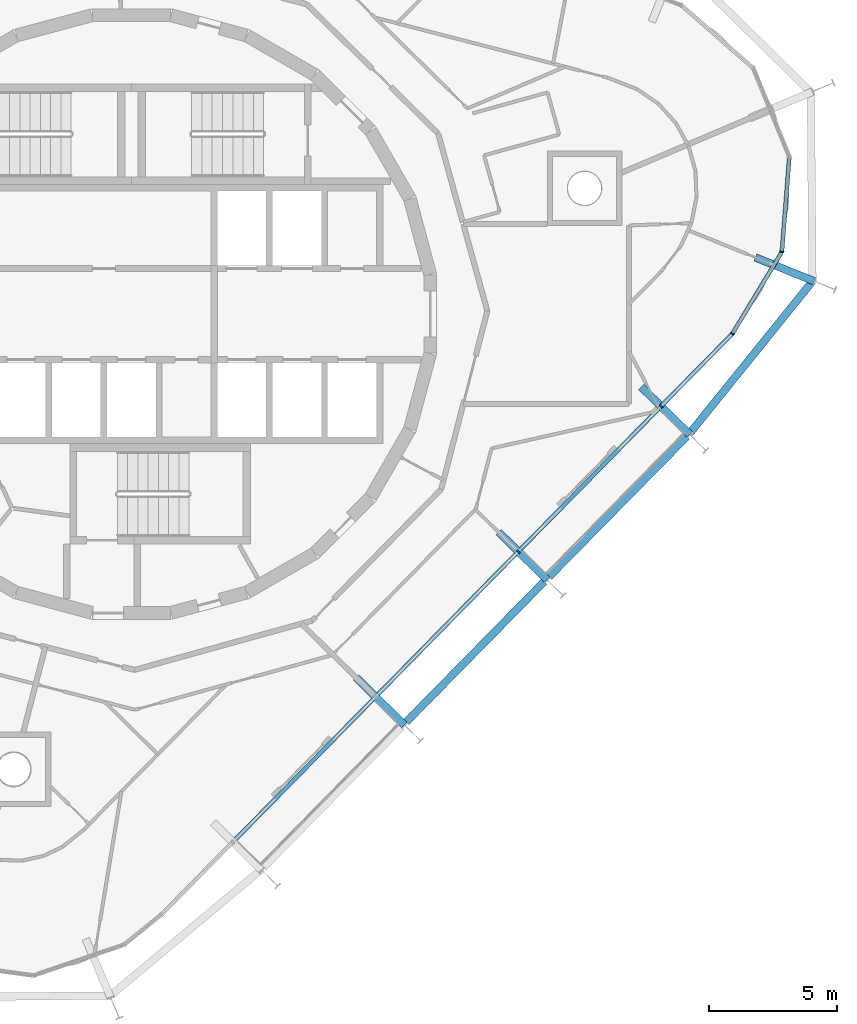
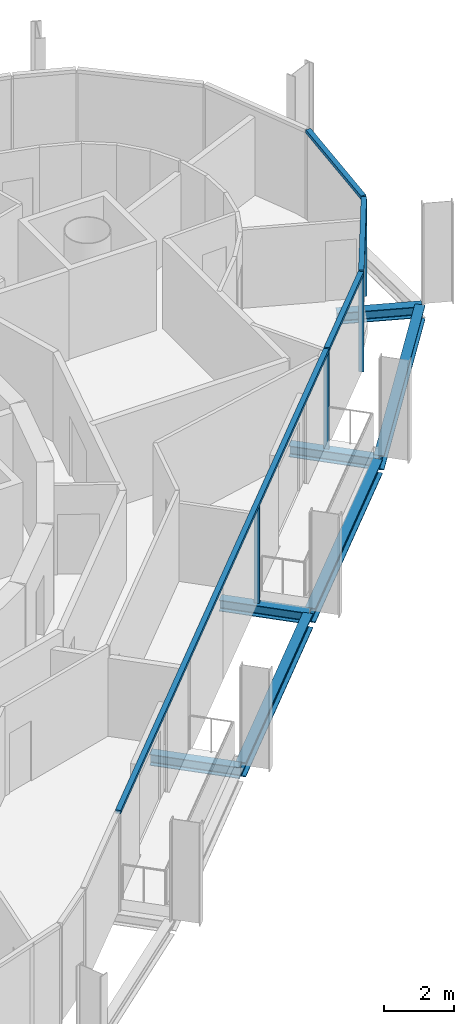
# One storey, part 4 of 15: 8 members, 7 beams, 2 elements without a shape of their own.
"""IFC4 building model written with IfcOpenShell, lengths in metres."""

from ifc_helpers import new_model, si_unit, direction, frame, origin, origin_2d, place, context, subcontext, project, spatial, rectangle, i_section, extrude, material, layer, layer_set, material_profile, profile_set, type_object, element, aggregate, save


model = new_model("IFC4")

# Units and contexts
model_context = context("Model", 3, precision=1e-05, world=origin(), true_north=direction((0.0, 1.0)))
body_context = subcontext(model_context, "Body", "Model", "MODEL_VIEW")
ifc_project = project(units=[si_unit("LENGTHUNIT", "METRE"), si_unit("AREAUNIT", "SQUARE_METRE"), si_unit("VOLUMEUNIT", "CUBIC_METRE"), si_unit("PLANEANGLEUNIT", "RADIAN"), si_unit("MASSUNIT", "GRAM", prefix="KILO")], contexts=[model_context])

# Site, building, storey
site_placement = place(None, origin())
site = spatial("IfcSite", under=ifc_project, at=site_placement, CompositionType="ELEMENT")
building_placement = place(site_placement, origin())
building = spatial("IfcBuilding", under=site, at=building_placement, Name="Spindle Arch Residences", CompositionType="ELEMENT")
storey_placement = place(building_placement, frame((0.0, 0.0, 319.199951171875)))
storey = spatial("IfcBuildingStorey", under=building, at=storey_placement, Name="L82", CompositionType="ELEMENT", Elevation=319.199951171875)

# Curtain wall, members
ifc_material_1 = material(Name="Aluminium bronze unitised frame with tinted glass", Category="aluminium")
ifc_layer_1 = layer(ifc_material_1, 0.159912109375)
ifc_layer_set_1 = layer_set([ifc_layer_1], Name="CW-D corner wall on the fillet arcs")
curtain_wall_type_1 = type_object("IfcCurtainWallType", Name="CW-D corner wall on the fillet arcs", PredefinedType="NOTDEFINED", material=ifc_layer_set_1)
curtain_wall_1_placement = place(storey_placement, origin())
curtain_wall_1 = element("IfcCurtainWall", 1, at=curtain_wall_1_placement, inside=storey, type_object=curtain_wall_type_1, Name="CW-D L82 run 1", PredefinedType="NOTDEFINED")
ifc_material_2 = material(Name="Aluminium bronze anodised mullion", Category="aluminium")
ifc_material_profile_1 = material_profile(ifc_material_2, rectangle(XDim=0.159912109375, YDim=0.06005859375, at=origin_2d()), Name="MU 60x160")
ifc_profile_set_1 = profile_set([ifc_material_profile_1], Name="Aluminium bronze anodised mullion")
member_type_1 = type_object("IfcMemberType", Name="Bronze mullion 60x160", PredefinedType="MULLION", material=ifc_profile_set_1)
member_1_placement = place(storey_placement, frame((20.642333984375, -3.597412109375, -0.3798828125), z_axis=(0.0, 0.0, 1.0), x_axis=(-0.713250449154, 0.7009092643, 0.0)))
member_1 = element("IfcMember", 2, at=member_1_placement, type_object=member_type_1, Name="CW-D mullion 00", PredefinedType="MULLION", context=body_context, shape_type="SweptSolid", body=[
    extrude(rectangle(XDim=0.159912109375, YDim=0.06005859375, at=origin_2d()), origin(), (0.0, 0.0, 1.0), 3.3798828125),
])
member_2_placement = place(storey_placement, frame((23.42578125, -0.76513671875, -0.3798828125), z_axis=(0.0, 0.0, 1.0), x_axis=(-0.855665492936, 0.517529288252, 0.0)))
member_2 = element("IfcMember", 3, at=member_2_placement, type_object=member_type_1, Name="CW-D mullion 01", PredefinedType="MULLION", context=body_context, shape_type="SweptSolid", body=[
    extrude(rectangle(XDim=0.159912109375, YDim=0.06005859375, at=origin_2d()), origin(), (0.0, 0.0, 1.0), 3.3798828125),
])
member_3_placement = place(storey_placement, frame((25.3544921875, 2.423828125, -0.3798828125), z_axis=(0.0, 0.0, 1.0), x_axis=(-0.996917334032, 0.078459091935, 0.0)))
member_3 = element("IfcMember", 4, at=member_3_placement, type_object=member_type_1, Name="CW-D mullion 02", PredefinedType="MULLION", context=body_context, shape_type="SweptSolid", body=[
    extrude(rectangle(XDim=0.159912109375, YDim=0.06005859375, at=origin_2d()), origin(), (0.0, 0.0, 1.0), 3.3798828125),
])

# Curtain wall, member
ifc_material_3 = material(Name="Aluminium bronze unitised frame with tinted glass", Category="aluminium")
ifc_layer_2 = layer(ifc_material_3, 0.159912109375)
ifc_layer_set_2 = layer_set([ifc_layer_2], Name="CW-C typical residential unitised wall")
curtain_wall_type_2 = type_object("IfcCurtainWallType", Name="CW-C typical residential unitised wall", PredefinedType="NOTDEFINED", material=ifc_layer_set_2)
curtain_wall_2_placement = place(storey_placement, origin())
curtain_wall_2 = element("IfcCurtainWall", 5, at=curtain_wall_2_placement, inside=storey, type_object=curtain_wall_type_2, Name="CW-C L82 run 6", PredefinedType="NOTDEFINED")
member_4_placement = place(storey_placement, frame((15.08056640625, -9.257080078125, -0.3798828125), z_axis=(0.0, 0.0, 1.0), x_axis=(-0.713250449154, 0.7009092643, 0.0)))
member_4 = element("IfcMember", 6, at=member_4_placement, type_object=member_type_1, Name="CW-C mullion 00", PredefinedType="MULLION", context=body_context, shape_type="SweptSolid", body=[
    extrude(rectangle(XDim=0.159912109375, YDim=0.06005859375, at=origin_2d()), origin(), (0.0, 0.0, 1.0), 3.3798828125),
])

# Member
ifc_material_4 = material(Name="Aluminium bronze anodised transom", Category="aluminium")
ifc_material_profile_2 = material_profile(ifc_material_4, rectangle(XDim=0.159912109375, YDim=0.1201171875, at=origin_2d()), Name="TR 120x160")
ifc_profile_set_2 = profile_set([ifc_material_profile_2], Name="Aluminium bronze anodised transom")
member_type_2 = type_object("IfcMemberType", Name="Bronze transom 120x160", PredefinedType="USERDEFINED", material=ifc_profile_set_2)
member_5_placement = place(storey_placement, frame((20.663330078125, -3.575927734375, 3.06005859375), z_axis=(0.70089977121, 0.713259777863, 0.0), x_axis=(-0.713259777863, 0.70089977121, 0.0)))
member_5 = element("IfcMember", 7, at=member_5_placement, type_object=member_type_2, Name="CW-D transom 00", ObjectType="TRANSOM", PredefinedType="USERDEFINED", context=body_context, shape_type="SweptSolid", body=[
    extrude(rectangle(XDim=0.159912109375, YDim=0.1201171875, at=origin_2d()), origin(), (0.0, 0.0, 1.0), 3.910888671875),
])

member_6_placement = place(storey_placement, frame((23.441162109375, -0.739501953125, 3.06005859375), z_axis=(0.517517977751, 0.855672333726, 0.0), x_axis=(-0.855672333726, 0.517517977751, 0.0)))
member_6 = element("IfcMember", 8, at=member_6_placement, type_object=member_type_2, Name="CW-D transom 01", ObjectType="TRANSOM", PredefinedType="USERDEFINED", context=body_context, shape_type="SweptSolid", body=[
    extrude(rectangle(XDim=0.159912109375, YDim=0.1201171875, at=origin_2d()), origin(), (0.0, 0.0, 1.0), 3.6669921875),
])

member_7_placement = place(storey_placement, frame((25.356689453125, 2.45361328125, 3.06005859375), z_axis=(0.078498754798, 0.996914211703, 0.0), x_axis=(-0.996914211703, 0.078498754798, 0.0)))
member_7 = element("IfcMember", 9, at=member_7_placement, type_object=member_type_2, Name="CW-D transom 02", ObjectType="TRANSOM", PredefinedType="USERDEFINED", context=body_context, shape_type="SweptSolid", body=[
    extrude(rectangle(XDim=0.159912109375, YDim=0.1201171875, at=origin_2d()), origin(), (0.0, 0.0, 1.0), 3.666748046875),
])

aggregate(curtain_wall_1, [member_1, member_5, member_2, member_6, member_3, member_7])

member_8_placement = place(storey_placement, frame((3.97802734375, -20.55517578125, 3.06005859375), z_axis=(0.700905736119, 0.71325391627, 0.0), x_axis=(-0.71325391627, 0.700905736119, 0.0)))
member_8 = element("IfcMember", 10, at=member_8_placement, type_object=member_type_2, Name="CW-C transom 00", ObjectType="TRANSOM", PredefinedType="USERDEFINED", context=body_context, shape_type="SweptSolid", body=[
    extrude(rectangle(XDim=0.159912109375, YDim=0.1201171875, at=origin_2d()), origin(), (0.0, 0.0, 1.0), 23.745361328125),
])

aggregate(curtain_wall_2, [member_8, member_4])

# Beams
ifc_material_5 = material(Name="Steel S460ML, intumescent coating R 120", Category="steel")
ifc_material_profile_3 = material_profile(ifc_material_5, i_section(OverallWidth=0.300048828125, OverallDepth=0.5, WebThickness=0.014404296875, FlangeThickness=0.028076171875, FilletRadius=0.027099609375, at=origin_2d()), Name="HEB 500")
ifc_profile_set_3 = profile_set([ifc_material_profile_3], Name="Steel S460ML, intumescent coating R 120")
beam_type_1 = type_object("IfcBeamType", Name="Exoskeleton edge beam HEB 500", PredefinedType="BEAM", material=ifc_profile_set_3)
beam_1_placement = place(storey_placement, frame((16.270263671875, -10.24365234375, -0.6298828125), z_axis=(0.700908648812, 0.713251053992, 0.0), x_axis=(-0.713251053992, 0.700908648812, 0.0)))
element("IfcBeam", 11, at=beam_1_placement, inside=storey, type_object=beam_type_1, Name="Exoskeleton edge beam 1", PredefinedType="BEAM", context=body_context, shape_type="SweptSolid", body=[
    extrude(i_section(OverallWidth=0.300048828125, OverallDepth=0.5, WebThickness=0.014404296875, FlangeThickness=0.028076171875, FilletRadius=0.027099609375, at=origin_2d()), origin(), (0.0, 0.0, 1.0), 7.6748046875),
])
beam_2_placement = place(storey_placement, frame((21.763427734375, -4.648681640625, -0.6298828125), z_axis=(0.627986894279, 0.778223914188, 0.0), x_axis=(-0.778223914188, 0.627986894279, 0.0)))
element("IfcBeam", 12, at=beam_2_placement, inside=storey, type_object=beam_type_1, Name="Exoskeleton edge beam 2", PredefinedType="BEAM", context=body_context, shape_type="SweptSolid", body=[
    extrude(i_section(OverallWidth=0.300048828125, OverallDepth=0.5, WebThickness=0.014404296875, FlangeThickness=0.028076171875, FilletRadius=0.027099609375, at=origin_2d()), origin(), (0.0, 0.0, 1.0), 7.611572265625),
])
beam_3_placement = place(storey_placement, frame((10.70849609375, -15.9033203125, -0.6298828125), z_axis=(0.700908648812, 0.713251053992, 0.0), x_axis=(-0.713251053992, 0.700908648812, 0.0)))
element("IfcBeam", 13, at=beam_3_placement, inside=storey, type_object=beam_type_1, Name="Exoskeleton edge beam 20", PredefinedType="BEAM", context=body_context, shape_type="SweptSolid", body=[
    extrude(i_section(OverallWidth=0.300048828125, OverallDepth=0.5, WebThickness=0.014404296875, FlangeThickness=0.028076171875, FilletRadius=0.027099609375, at=origin_2d()), origin(), (0.0, 0.0, 1.0), 7.6748046875),
])
ifc_material_6 = material(Name="Steel S460ML, intumescent coating R 120", Category="steel")
ifc_material_profile_4 = material_profile(ifc_material_6, i_section(OverallWidth=0.300048828125, OverallDepth=0.389892578125, WebThickness=0.010986328125, FlangeThickness=0.01904296875, FilletRadius=0.027099609375, at=origin_2d()), Name="HEA 400")
ifc_profile_set_4 = profile_set([ifc_material_profile_4], Name="Steel S460ML, intumescent coating R 120")
beam_type_2 = type_object("IfcBeamType", Name="Floor outrigger HEA 400", PredefinedType="BEAM", material=ifc_profile_set_4)
for number, where, z_axis, x_axis, name in (
    (14, (16.200439453125, -10.357421875, -0.574951171875), (-0.713252393258, 0.70090728596, 0.0), (-0.70090728596, -0.713252393258, 0.0), "Floor outrigger 1"),
    (15, (21.76220703125, -4.69775390625, -0.574951171875), (-0.713252393258, 0.70090728596, 0.0), (-0.70090728596, -0.713252393258, 0.0), "Floor outrigger 2"),
):
    element("IfcBeam", number, at=place(storey_placement, frame(where, z_axis=z_axis, x_axis=x_axis)), inside=storey, type_object=beam_type_2, Name=name, PredefinedType="BEAM", context=body_context, shape_type="SweptSolid", body=[
        extrude(i_section(OverallWidth=0.300048828125, OverallDepth=0.389892578125, WebThickness=0.010986328125, FlangeThickness=0.01904296875, FilletRadius=0.027099609375, at=origin_2d()), origin(), (0.0, 0.0, 1.0), 2.650146484375),
    ])
beam_4_placement = place(storey_placement, frame((26.609130859375, 1.281494140625, -0.574951171875), z_axis=(-0.927112260651, 0.374783745846, 0.0), x_axis=(-0.374783745846, -0.927112260651, 0.0)))
element("IfcBeam", 16, at=beam_4_placement, inside=storey, type_object=beam_type_2, Name="Floor outrigger 3", PredefinedType="BEAM", context=body_context, shape_type="SweptSolid", body=[
    extrude(i_section(OverallWidth=0.300048828125, OverallDepth=0.389892578125, WebThickness=0.010986328125, FlangeThickness=0.01904296875, FilletRadius=0.027099609375, at=origin_2d()), origin(), (0.0, 0.0, 1.0), 2.466796875),
])
beam_5_placement = place(storey_placement, frame((10.638671875, -16.01708984375, -0.574951171875), z_axis=(-0.713298451505, 0.700860413407, 0.0), x_axis=(-0.700860413407, -0.713298451505, 0.0)))
element("IfcBeam", 17, at=beam_5_placement, inside=storey, type_object=beam_type_2, Name="Floor outrigger 20", PredefinedType="BEAM", context=body_context, shape_type="SweptSolid", body=[
    extrude(i_section(OverallWidth=0.300048828125, OverallDepth=0.389892578125, WebThickness=0.010986328125, FlangeThickness=0.01904296875, FilletRadius=0.027099609375, at=origin_2d()), origin(), (0.0, 0.0, 1.0), 2.64990234375),
])

save(model, "model.ifc")
